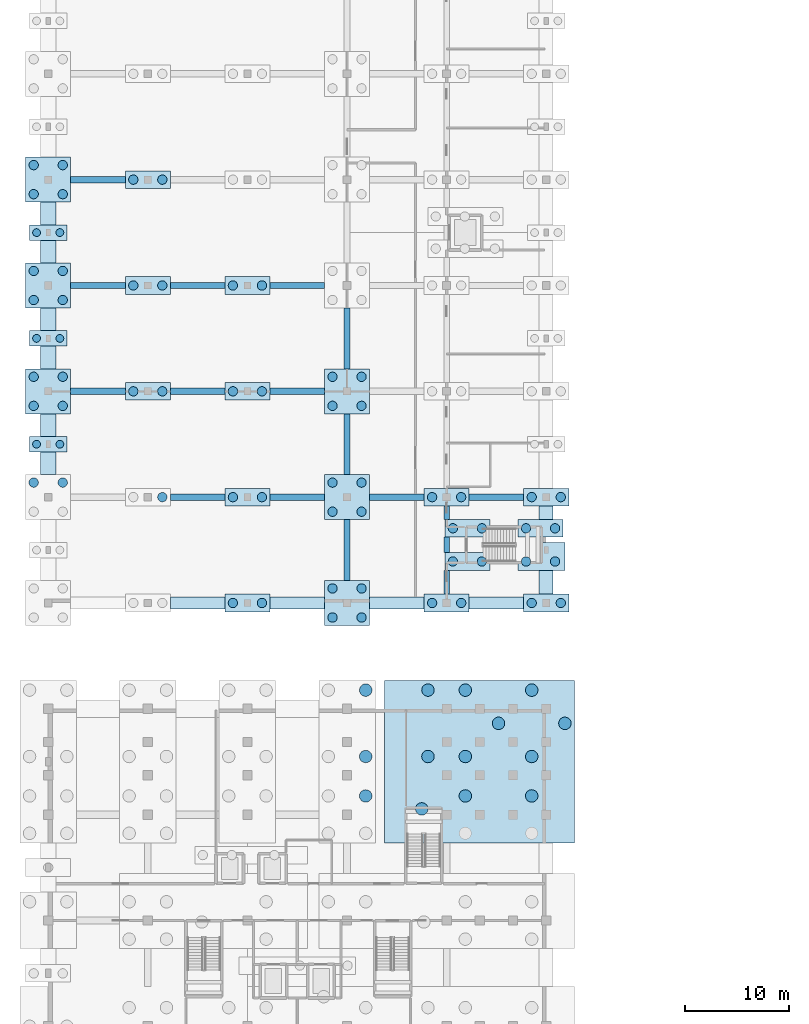
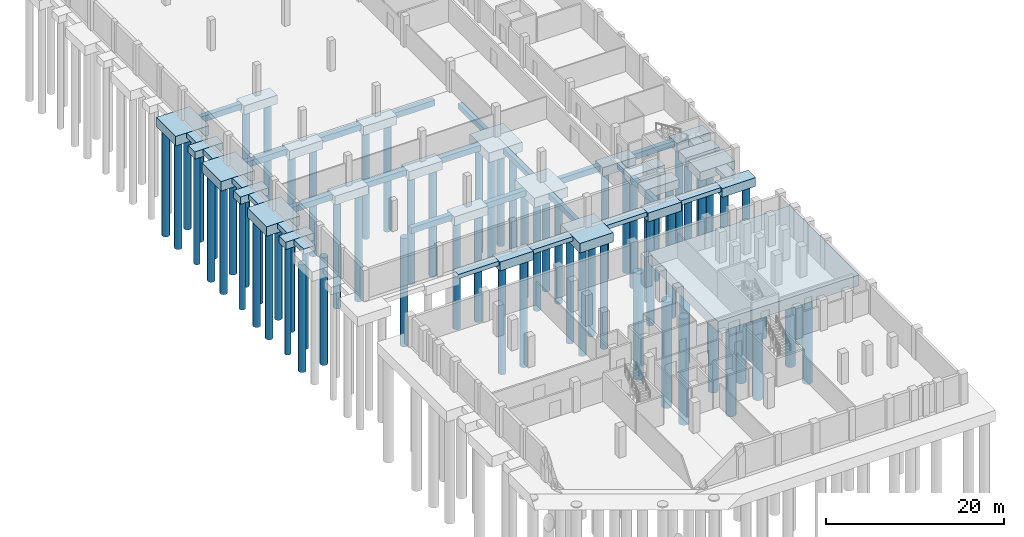
# One storey, part 2 of 18: 77 piles, 54 footings.
"""IFC4 building model written with IfcOpenShell, lengths in metres."""

from ifc_helpers import new_model, si_unit, direction, frame, origin, origin_2d, place, context, subcontext, project, spatial, polyline, rectangle, circle, outline, extrude, material, material_profile, profile_set, type_object, element, save


model = new_model("IFC4")

# Units and contexts
model_context = context("Model", 3, precision=1e-05, world=origin(), true_north=direction((0.0, 1.0)))
body_context = subcontext(model_context, "Body", "Model", "MODEL_VIEW")
ifc_project = project(units=[si_unit("LENGTHUNIT", "METRE"), si_unit("AREAUNIT", "SQUARE_METRE"), si_unit("VOLUMEUNIT", "CUBIC_METRE"), si_unit("PLANEANGLEUNIT", "RADIAN"), si_unit("MASSUNIT", "GRAM", prefix="KILO")], contexts=[model_context])

# Site, building, storey
site_placement = place(None, origin())
site = spatial("IfcSite", under=ifc_project, at=site_placement, CompositionType="ELEMENT")
building_placement = place(site_placement, origin())
building = spatial("IfcBuilding", under=site, at=building_placement, Name="Vondelvale Polytechnic", CompositionType="ELEMENT")
storey_placement = place(building_placement, frame((0.0, 0.0, -4.199951171875)))
storey = spatial("IfcBuildingStorey", under=building, at=storey_placement, Name="B1", CompositionType="ELEMENT", Elevation=-4.199951171875)

# Footings
ifc_material = material(Name="Concrete N40 (f'c = 40 MPa)", Category="concrete")
footing_type_1 = type_object("IfcFootingType", Name="GB-550x750", PredefinedType="FOOTING_BEAM", material=ifc_material)
footing_1_placement = place(storey_placement, frame((0.0, 0.0, -1.150146484375)))
element("IfcFooting", 1, at=footing_1_placement, inside=storey, type_object=footing_type_1, Name="Ground tie beam GB-031", PredefinedType="FOOTING_BEAM", context=body_context, shape_type="SweptSolid", body=[
    extrude(outline(polyline([(29.074951171875, 53.169921875), (28.52490234375, 53.169921875), (28.52490234375, 59.030029296875), (29.074951171875, 59.030029296875), (29.074951171875, 53.169921875)])), origin(), (0.0, 0.0, 1.0), 0.75),
])
footing_2_placement = place(storey_placement, frame((0.0, 0.0, -1.150146484375)))
element("IfcFooting", 2, at=footing_2_placement, inside=storey, type_object=footing_type_1, Name="Ground tie beam GB-032", PredefinedType="FOOTING_BEAM", context=body_context, shape_type="SweptSolid", body=[
    extrude(outline(polyline([(29.074951171875, 63.3701171875), (28.52490234375, 63.3701171875), (28.52490234375, 69.22998046875), (29.074951171875, 69.22998046875), (29.074951171875, 63.3701171875)])), origin(), (0.0, 0.0, 1.0), 0.75),
])
footing_3_placement = place(storey_placement, frame((0.0, 0.0, -1.150146484375)))
element("IfcFooting", 3, at=footing_3_placement, inside=storey, type_object=footing_type_1, Name="Ground tie beam GB-033", PredefinedType="FOOTING_BEAM", context=body_context, shape_type="SweptSolid", body=[
    extrude(outline(polyline([(29.074951171875, 73.570068359375), (28.52490234375, 73.570068359375), (28.52490234375, 79.429931640625), (29.074951171875, 79.429931640625), (29.074951171875, 73.570068359375)])), origin(), (0.0, 0.0, 1.0), 0.75),
])
footing_4_placement = place(storey_placement, frame((0.0, 0.0, -1.150146484375)))
element("IfcFooting", 4, at=footing_4_placement, inside=storey, type_object=footing_type_1, Name="Ground tie beam GB-038", PredefinedType="FOOTING_BEAM", context=body_context, shape_type="SweptSolid", body=[
    extrude(outline(polyline([(38.675048828125, 51.85009765625), (38.125, 51.85009765625), (38.125, 54.14990234375), (38.22998046875, 54.14990234375), (38.675048828125, 54.14990234375), (38.675048828125, 51.85009765625)])), origin(), (0.0, 0.0, 1.0), 0.75),
])
footing_5_placement = place(storey_placement, frame((0.0, 0.0, -1.150146484375)))
element("IfcFooting", 5, at=footing_5_placement, inside=storey, type_object=footing_type_1, Name="Ground tie beam GB-039", PredefinedType="FOOTING_BEAM", context=body_context, shape_type="SweptSolid", body=[
    extrude(outline(polyline([(38.675048828125, 55.85009765625), (38.22998046875, 55.85009765625), (38.125, 55.85009765625), (38.125, 57.35009765625), (38.22998046875, 57.35009765625), (38.675048828125, 57.35009765625), (38.675048828125, 55.85009765625)])), origin(), (0.0, 0.0, 1.0), 0.75),
])
footing_6_placement = place(storey_placement, frame((0.0, 0.0, -1.150146484375)))
element("IfcFooting", 6, at=footing_6_placement, inside=storey, type_object=footing_type_1, Name="Ground tie beam GB-040", PredefinedType="FOOTING_BEAM", context=body_context, shape_type="SweptSolid", body=[
    extrude(outline(polyline([(38.675048828125, 59.050048828125), (38.22998046875, 59.050048828125), (38.125, 59.050048828125), (38.125, 60.35009765625), (38.675048828125, 60.35009765625), (38.675048828125, 59.050048828125)])), origin(), (0.0, 0.0, 1.0), 0.75),
])
footing_type_2 = type_object("IfcFootingType", Name="GB-600x800", PredefinedType="FOOTING_BEAM", material=ifc_material)
footing_7_placement = place(storey_placement, frame((0.0, 0.0, -1.199951171875)))
element("IfcFooting", 7, at=footing_7_placement, inside=storey, type_object=footing_type_2, Name="Ground tie beam GB-002", PredefinedType="FOOTING_BEAM", context=body_context, shape_type="SweptSolid", body=[
    extrude(outline(polyline([(11.77001953125, 60.89990234375), (11.77001953125, 61.5), (17.030029296875, 61.5), (17.030029296875, 60.89990234375), (11.77001953125, 60.89990234375)])), origin(), (0.0, 0.0, 1.0), 0.7998046875),
])
footing_8_placement = place(storey_placement, frame((0.0, 0.0, -1.199951171875)))
element("IfcFooting", 8, at=footing_8_placement, inside=storey, type_object=footing_type_2, Name="Ground tie beam GB-003", PredefinedType="FOOTING_BEAM", context=body_context, shape_type="SweptSolid", body=[
    extrude(outline(polyline([(21.3701171875, 60.89990234375), (21.3701171875, 61.5), (26.6298828125, 61.5), (26.6298828125, 60.89990234375), (21.3701171875, 60.89990234375)])), origin(), (0.0, 0.0, 1.0), 0.7998046875),
])
footing_9_placement = place(storey_placement, frame((0.0, 0.0, -1.199951171875)))
element("IfcFooting", 9, at=footing_9_placement, inside=storey, type_object=footing_type_2, Name="Ground tie beam GB-004", PredefinedType="FOOTING_BEAM", context=body_context, shape_type="SweptSolid", body=[
    extrude(outline(polyline([(30.969970703125, 60.89990234375), (30.969970703125, 61.5), (36.22998046875, 61.5), (36.22998046875, 60.89990234375), (30.969970703125, 60.89990234375)])), origin(), (0.0, 0.0, 1.0), 0.7998046875),
])
footing_10_placement = place(storey_placement, frame((0.0, 0.0, -1.199951171875)))
element("IfcFooting", 10, at=footing_10_placement, inside=storey, type_object=footing_type_2, Name="Ground tie beam GB-005", PredefinedType="FOOTING_BEAM", context=body_context, shape_type="SweptSolid", body=[
    extrude(outline(polyline([(40.570068359375, 60.89990234375), (40.570068359375, 61.5), (45.830078125, 61.5), (45.830078125, 60.89990234375), (40.570068359375, 60.89990234375)])), origin(), (0.0, 0.0, 1.0), 0.7998046875),
])
footing_11_placement = place(storey_placement, frame((0.0, 0.0, -1.199951171875)))
element("IfcFooting", 11, at=footing_11_placement, inside=storey, type_object=footing_type_2, Name="Ground tie beam GB-006", PredefinedType="FOOTING_BEAM", context=body_context, shape_type="SweptSolid", body=[
    extrude(outline(polyline([(2.169921875, 71.10009765625), (2.169921875, 71.699951171875), (7.429931640625, 71.699951171875), (7.429931640625, 71.10009765625), (2.169921875, 71.10009765625)])), origin(), (0.0, 0.0, 1.0), 0.7998046875),
])
footing_12_placement = place(storey_placement, frame((0.0, 0.0, -1.199951171875)))
element("IfcFooting", 12, at=footing_12_placement, inside=storey, type_object=footing_type_2, Name="Ground tie beam GB-007", PredefinedType="FOOTING_BEAM", context=body_context, shape_type="SweptSolid", body=[
    extrude(outline(polyline([(11.77001953125, 71.10009765625), (11.77001953125, 71.699951171875), (17.030029296875, 71.699951171875), (17.030029296875, 71.10009765625), (11.77001953125, 71.10009765625)])), origin(), (0.0, 0.0, 1.0), 0.7998046875),
])
footing_13_placement = place(storey_placement, frame((0.0, 0.0, -1.199951171875)))
element("IfcFooting", 13, at=footing_13_placement, inside=storey, type_object=footing_type_2, Name="Ground tie beam GB-008", PredefinedType="FOOTING_BEAM", context=body_context, shape_type="SweptSolid", body=[
    extrude(outline(polyline([(21.3701171875, 71.10009765625), (21.3701171875, 71.699951171875), (26.6298828125, 71.699951171875), (26.6298828125, 71.10009765625), (21.3701171875, 71.10009765625)])), origin(), (0.0, 0.0, 1.0), 0.7998046875),
])
footing_14_placement = place(storey_placement, frame((0.0, 0.0, -1.199951171875)))
element("IfcFooting", 14, at=footing_14_placement, inside=storey, type_object=footing_type_2, Name="Ground tie beam GB-011", PredefinedType="FOOTING_BEAM", context=body_context, shape_type="SweptSolid", body=[
    extrude(outline(polyline([(2.169921875, 81.300048828125), (2.169921875, 81.89990234375), (7.429931640625, 81.89990234375), (7.429931640625, 81.300048828125), (2.169921875, 81.300048828125)])), origin(), (0.0, 0.0, 1.0), 0.7998046875),
])
footing_15_placement = place(storey_placement, frame((0.0, 0.0, -1.199951171875)))
element("IfcFooting", 15, at=footing_15_placement, inside=storey, type_object=footing_type_2, Name="Ground tie beam GB-012", PredefinedType="FOOTING_BEAM", context=body_context, shape_type="SweptSolid", body=[
    extrude(outline(polyline([(11.77001953125, 81.300048828125), (11.77001953125, 81.89990234375), (17.030029296875, 81.89990234375), (17.030029296875, 81.300048828125), (11.77001953125, 81.300048828125)])), origin(), (0.0, 0.0, 1.0), 0.7998046875),
])
footing_16_placement = place(storey_placement, frame((0.0, 0.0, -1.199951171875)))
element("IfcFooting", 16, at=footing_16_placement, inside=storey, type_object=footing_type_2, Name="Ground tie beam GB-013", PredefinedType="FOOTING_BEAM", context=body_context, shape_type="SweptSolid", body=[
    extrude(outline(polyline([(21.3701171875, 81.300048828125), (21.3701171875, 81.89990234375), (26.6298828125, 81.89990234375), (26.6298828125, 81.300048828125), (21.3701171875, 81.300048828125)])), origin(), (0.0, 0.0, 1.0), 0.7998046875),
])
footing_17_placement = place(storey_placement, frame((0.0, 0.0, -1.199951171875)))
element("IfcFooting", 17, at=footing_17_placement, inside=storey, type_object=footing_type_2, Name="Ground tie beam GB-016", PredefinedType="FOOTING_BEAM", context=body_context, shape_type="SweptSolid", body=[
    extrude(outline(polyline([(2.169921875, 91.5), (2.169921875, 92.10009765625), (7.429931640625, 92.10009765625), (7.429931640625, 91.5), (2.169921875, 91.5)])), origin(), (0.0, 0.0, 1.0), 0.7998046875),
])
footing_type_3 = type_object("IfcFootingType", Name="PC-18290x15640x1500", PredefinedType="PILE_CAP", material=ifc_material)
footing_18_placement = place(storey_placement, frame((41.574951171875, 35.699951171875, -1.900146484375), z_axis=(0.0, 0.0, 1.0), x_axis=(1.0, 0.0, 0.0)))
element("IfcFooting", 18, at=footing_18_placement, inside=storey, type_object=footing_type_3, Name="Pile cap PC-052", PredefinedType="PILE_CAP", context=body_context, shape_type="SweptSolid", body=[
    extrude(rectangle(XDim=18.2900390625, YDim=15.639892578125, at=origin_2d()), origin(), (0.0, 0.0, 1.0), 1.5),
])
footing_type_4 = type_object("IfcFootingType", Name="PC-3640x1500x1000", PredefinedType="PILE_CAP", material=ifc_material)
for number, where, z_axis, x_axis, name in (
    (19, (0.0, 66.300048828125, -1.400146484375), (0.0, 0.0, 1.0), (1.0, 0.0, 0.0), "Pile cap PC-009"),
    (20, (0.0, 76.5, -1.400146484375), (0.0, 0.0, 1.0), (1.0, 0.0, 0.0), "Pile cap PC-011"),
    (21, (0.0, 86.699951171875, -1.400146484375), (0.0, 0.0, 1.0), (1.0, 0.0, 0.0), "Pile cap PC-013"),
):
    element("IfcFooting", number, at=place(storey_placement, frame(where, z_axis=z_axis, x_axis=x_axis)), inside=storey, type_object=footing_type_4, Name=name, PredefinedType="PILE_CAP", context=body_context, shape_type="SweptSolid", body=[
        extrude(rectangle(XDim=3.639892578125, YDim=1.5, at=origin_2d()), origin(), (0.0, 0.0, 1.0), 1.0),
    ])
footing_type_5 = type_object("IfcFootingType", Name="PC-4340x1700x1200", PredefinedType="PILE_CAP", material=ifc_material)
for number, where, z_axis, x_axis, name in (
    (22, (9.60009765625, 71.39990234375, -1.60009765625), (0.0, 0.0, 1.0), (1.0, 0.0, 0.0), "Pile cap PC-025"),
    (23, (9.60009765625, 81.60009765625, -1.60009765625), (0.0, 0.0, 1.0), (1.0, 0.0, 0.0), "Pile cap PC-026"),
    (24, (9.60009765625, 91.800048828125, -1.60009765625), (0.0, 0.0, 1.0), (1.0, 0.0, 0.0), "Pile cap PC-027"),
    (25, (19.199951171875, 51.0, -1.60009765625), (0.0, 0.0, 1.0), (1.0, 0.0, 0.0), "Pile cap PC-033"),
    (26, (19.199951171875, 61.199951171875, -1.60009765625), (0.0, 0.0, 1.0), (1.0, 0.0, 0.0), "Pile cap PC-034"),
    (27, (19.199951171875, 71.39990234375, -1.60009765625), (0.0, 0.0, 1.0), (1.0, 0.0, 0.0), "Pile cap PC-035"),
    (28, (19.199951171875, 81.60009765625, -1.60009765625), (0.0, 0.0, 1.0), (1.0, 0.0, 0.0), "Pile cap PC-036"),
    (29, (38.39990234375, 51.0, -1.60009765625), (0.0, 0.0, 1.0), (1.0, 0.0, 0.0), "Pile cap PC-053"),
    (30, (38.39990234375, 61.199951171875, -1.60009765625), (0.0, 0.0, 1.0), (1.0, 0.0, 0.0), "Pile cap PC-054"),
    (31, (40.39990234375, 55.0, -1.60009765625), (0.0, 0.0, 1.0), (1.0, 0.0, 0.0), "Pile cap PC-063"),
    (32, (40.39990234375, 58.199951171875, -1.60009765625), (0.0, 0.0, 1.0), (1.0, 0.0, 0.0), "Pile cap PC-064"),
    (33, (47.449951171875, 58.199951171875, -1.60009765625), (0.0, 0.0, 1.0), (1.0, 0.0, 0.0), "Pile cap PC-067"),
    (34, (48.0, 51.0, -1.60009765625), (0.0, 0.0, 1.0), (1.0, 0.0, 0.0), "Pile cap PC-070"),
    (35, (48.0, 61.199951171875, -1.60009765625), (0.0, 0.0, 1.0), (1.0, 0.0, 0.0), "Pile cap PC-071"),
):
    element("IfcFooting", number, at=place(storey_placement, frame(where, z_axis=z_axis, x_axis=x_axis)), inside=storey, type_object=footing_type_5, Name=name, PredefinedType="PILE_CAP", context=body_context, shape_type="SweptSolid", body=[
        extrude(rectangle(XDim=4.340087890625, YDim=1.699951171875, at=origin_2d()), origin(), (0.0, 0.0, 1.0), 1.199951171875),
    ])
footing_type_6 = type_object("IfcFootingType", Name="PC-4340x4340x1300", PredefinedType="PILE_CAP", material=ifc_material)
for number, where, z_axis, x_axis, name in (
    (36, (0.0, 71.39990234375, -1.7001953125), (0.0, 0.0, 1.0), (1.0, 0.0, 0.0), "Pile cap PC-010"),
    (37, (0.0, 81.60009765625, -1.7001953125), (0.0, 0.0, 1.0), (1.0, 0.0, 0.0), "Pile cap PC-012"),
    (38, (0.0, 91.800048828125, -1.7001953125), (0.0, 0.0, 1.0), (1.0, 0.0, 0.0), "Pile cap PC-014"),
    (39, (28.800048828125, 51.0, -1.7001953125), (0.0, 0.0, 1.0), (1.0, 0.0, 0.0), "Pile cap PC-044"),
    (40, (28.800048828125, 61.199951171875, -1.7001953125), (0.0, 0.0, 1.0), (1.0, 0.0, 0.0), "Pile cap PC-045"),
    (41, (28.800048828125, 71.39990234375, -1.7001953125), (0.0, 0.0, 1.0), (1.0, 0.0, 0.0), "Pile cap PC-046"),
):
    element("IfcFooting", number, at=place(storey_placement, frame(where, z_axis=z_axis, x_axis=x_axis)), inside=storey, type_object=footing_type_6, Name=name, PredefinedType="PILE_CAP", context=body_context, shape_type="SweptSolid", body=[
        extrude(rectangle(XDim=4.340087890625, YDim=4.340087890625, at=origin_2d()), origin(), (0.0, 0.0, 1.0), 1.300048828125),
    ])
footing_type_7 = type_object("IfcFootingType", Name="PC-4540x2700x1200", PredefinedType="PILE_CAP", material=ifc_material)
footing_19_placement = place(storey_placement, frame((47.550048828125, 55.5, -1.60009765625), z_axis=(0.0, 0.0, 1.0), x_axis=(1.0, 0.0, 0.0)))
element("IfcFooting", 42, at=footing_19_placement, inside=storey, type_object=footing_type_7, Name="Pile cap PC-066", PredefinedType="PILE_CAP", context=body_context, shape_type="SweptSolid", body=[
    extrude(rectangle(XDim=4.5400390625, YDim=2.699951171875, at=origin_2d()), origin(), (0.0, 0.0, 1.0), 1.199951171875),
])

# Piles
ifc_material_profile_1 = material_profile(ifc_material, circle(Radius=0.60009765625, at=origin_2d()), Name="PILE-D1200")
ifc_profile_set_1 = profile_set([ifc_material_profile_1], Name="Concrete N40 (f'c = 40 MPa)")
pile_type_1 = type_object("IfcPileType", Name="PILE-BORED-1200", PredefinedType="BORED", material=ifc_profile_set_1)
for number, where, z_axis, x_axis, name in (
    (43, (30.60009765625, 32.39990234375, -1.75), (0.0, 0.0, -1.0), (1.0, 0.0, 0.0), "Bored pile BP-1200-043-4"),
    (44, (30.60009765625, 36.199951171875, -1.75), (0.0, 0.0, -1.0), (1.0, 0.0, 0.0), "Bored pile BP-1200-043-6"),
    (45, (30.60009765625, 42.60009765625, -1.75), (0.0, 0.0, -1.0), (1.0, 0.0, 0.0), "Bored pile BP-1200-043-8"),
    (46, (36.0, 31.14990234375, -1.75), (0.0, 0.0, -1.0), (1.0, 0.0, 0.0), "Bored pile BP-1200-052-1"),
    (47, (40.199951171875, 32.39990234375, -1.75), (0.0, 0.0, -1.0), (1.0, 0.0, 0.0), "Bored pile BP-1200-052-3"),
    (48, (36.60009765625, 36.199951171875, -1.75), (0.0, 0.0, -1.0), (1.0, 0.0, 0.0), "Bored pile BP-1200-052-4"),
    (49, (40.199951171875, 36.199951171875, -1.75), (0.0, 0.0, -1.0), (1.0, 0.0, 0.0), "Bored pile BP-1200-052-5"),
    (50, (36.60009765625, 42.60009765625, -1.75), (0.0, 0.0, -1.0), (1.0, 0.0, 0.0), "Bored pile BP-1200-052-6"),
    (51, (40.199951171875, 42.60009765625, -1.75), (0.0, 0.0, -1.0), (1.0, 0.0, 0.0), "Bored pile BP-1200-052-7"),
    (52, (43.39990234375, 39.39990234375, -1.75), (0.0, 0.0, -1.0), (1.0, 0.0, 0.0), "Bored pile BP-1200-052-8"),
    (53, (46.60009765625, 32.39990234375, -1.75), (0.0, 0.0, -1.0), (1.0, 0.0, 0.0), "Bored pile BP-1200-052-10"),
    (54, (46.60009765625, 36.199951171875, -1.75), (0.0, 0.0, -1.0), (1.0, 0.0, 0.0), "Bored pile BP-1200-052-11"),
    (55, (46.60009765625, 42.60009765625, -1.75), (0.0, 0.0, -1.0), (1.0, 0.0, 0.0), "Bored pile BP-1200-052-12"),
    (56, (49.800048828125, 39.39990234375, -1.75), (0.0, 0.0, -1.0), (1.0, 0.0, 0.0), "Bored pile BP-1200-052-13"),
):
    element("IfcPile", number, at=place(storey_placement, frame(where, z_axis=z_axis, x_axis=x_axis)), inside=storey, type_object=pile_type_1, Name=name, PredefinedType="BORED", context=body_context, shape_type="SweptSolid", body=[
        extrude(circle(Radius=0.60009765625, at=origin_2d()), origin(), (0.0, 0.0, 1.0), 14.550048828125),
    ])
ifc_material_profile_2 = material_profile(ifc_material, circle(Radius=0.375, at=origin_2d()), Name="PILE-D750")
ifc_profile_set_2 = profile_set([ifc_material_profile_2], Name="Concrete N40 (f'c = 40 MPa)")
pile_type_2 = type_object("IfcPileType", Name="PILE-BORED-750", PredefinedType="BORED", material=ifc_profile_set_2)
for number, where, z_axis, x_axis, name in (
    (57, (-1.125, 66.300048828125, -1.25), (0.0, 0.0, -1.0), (1.0, 0.0, 0.0), "Bored pile BP-750-009-1"),
    (58, (1.125, 66.300048828125, -1.25), (0.0, 0.0, -1.0), (1.0, 0.0, 0.0), "Bored pile BP-750-009-2"),
    (59, (-1.125, 76.5, -1.25), (0.0, 0.0, -1.0), (1.0, 0.0, 0.0), "Bored pile BP-750-011-1"),
    (60, (1.125, 76.5, -1.25), (0.0, 0.0, -1.0), (1.0, 0.0, 0.0), "Bored pile BP-750-011-2"),
    (61, (-1.125, 86.699951171875, -1.25), (0.0, 0.0, -1.0), (1.0, 0.0, 0.0), "Bored pile BP-750-013-1"),
    (62, (1.125, 86.699951171875, -1.25), (0.0, 0.0, -1.0), (1.0, 0.0, 0.0), "Bored pile BP-750-013-2"),
):
    element("IfcPile", number, at=place(storey_placement, frame(where, z_axis=z_axis, x_axis=x_axis)), inside=storey, type_object=pile_type_2, Name=name, PredefinedType="BORED", context=body_context, shape_type="SweptSolid", body=[
        extrude(circle(Radius=0.375, at=origin_2d()), origin(), (0.0, 0.0, 1.0), 15.050048828125),
    ])
ifc_material_profile_3 = material_profile(ifc_material, circle(Radius=0.449951171875, at=origin_2d()), Name="PILE-D900")
ifc_profile_set_3 = profile_set([ifc_material_profile_3], Name="Concrete N40 (f'c = 40 MPa)")
pile_type_3 = type_object("IfcPileType", Name="PILE-BORED-900", PredefinedType="BORED", material=ifc_profile_set_3)
for number, where, z_axis, x_axis, name in (
    (63, (-1.39990234375, 62.60009765625, -1.550048828125), (0.0, 0.0, -1.0), (1.0, 0.0, 0.0), "Bored pile BP-900-008-3"),
    (64, (1.39990234375, 62.60009765625, -1.550048828125), (0.0, 0.0, -1.0), (1.0, 0.0, 0.0), "Bored pile BP-900-008-4"),
    (65, (-1.39990234375, 70.0, -1.550048828125), (0.0, 0.0, -1.0), (1.0, 0.0, 0.0), "Bored pile BP-900-010-1"),
    (66, (1.39990234375, 70.0, -1.550048828125), (0.0, 0.0, -1.0), (1.0, 0.0, 0.0), "Bored pile BP-900-010-2"),
    (67, (-1.39990234375, 72.800048828125, -1.550048828125), (0.0, 0.0, -1.0), (1.0, 0.0, 0.0), "Bored pile BP-900-010-3"),
    (68, (1.39990234375, 72.800048828125, -1.550048828125), (0.0, 0.0, -1.0), (1.0, 0.0, 0.0), "Bored pile BP-900-010-4"),
    (69, (-1.39990234375, 80.199951171875, -1.550048828125), (0.0, 0.0, -1.0), (1.0, 0.0, 0.0), "Bored pile BP-900-012-1"),
    (70, (1.39990234375, 80.199951171875, -1.550048828125), (0.0, 0.0, -1.0), (1.0, 0.0, 0.0), "Bored pile BP-900-012-2"),
    (71, (-1.39990234375, 83.0, -1.550048828125), (0.0, 0.0, -1.0), (1.0, 0.0, 0.0), "Bored pile BP-900-012-3"),
    (72, (1.39990234375, 83.0, -1.550048828125), (0.0, 0.0, -1.0), (1.0, 0.0, 0.0), "Bored pile BP-900-012-4"),
    (73, (-1.39990234375, 90.39990234375, -1.550048828125), (0.0, 0.0, -1.0), (1.0, 0.0, 0.0), "Bored pile BP-900-014-1"),
    (74, (1.39990234375, 90.39990234375, -1.550048828125), (0.0, 0.0, -1.0), (1.0, 0.0, 0.0), "Bored pile BP-900-014-2"),
    (75, (-1.39990234375, 93.199951171875, -1.550048828125), (0.0, 0.0, -1.0), (1.0, 0.0, 0.0), "Bored pile BP-900-014-3"),
    (76, (1.39990234375, 93.199951171875, -1.550048828125), (0.0, 0.0, -1.0), (1.0, 0.0, 0.0), "Bored pile BP-900-014-4"),
):
    element("IfcPile", number, at=place(storey_placement, frame(where, z_axis=z_axis, x_axis=x_axis)), inside=storey, type_object=pile_type_3, Name=name, PredefinedType="BORED", context=body_context, shape_type="SweptSolid", body=[
        extrude(circle(Radius=0.449951171875, at=origin_2d()), origin(), (0.0, 0.0, 1.0), 14.75),
    ])
for number, where, z_axis, x_axis, name in (
    (77, (11.0, 61.199951171875, -1.449951171875), (0.0, 0.0, -1.0), (1.0, 0.0, 0.0), "Bored pile BP-900-024-2"),
    (78, (8.199951171875, 71.39990234375, -1.449951171875), (0.0, 0.0, -1.0), (1.0, 0.0, 0.0), "Bored pile BP-900-025-1"),
    (79, (11.0, 71.39990234375, -1.449951171875), (0.0, 0.0, -1.0), (1.0, 0.0, 0.0), "Bored pile BP-900-025-2"),
    (80, (8.199951171875, 81.60009765625, -1.449951171875), (0.0, 0.0, -1.0), (1.0, 0.0, 0.0), "Bored pile BP-900-026-1"),
    (81, (11.0, 81.60009765625, -1.449951171875), (0.0, 0.0, -1.0), (1.0, 0.0, 0.0), "Bored pile BP-900-026-2"),
    (82, (8.199951171875, 91.800048828125, -1.449951171875), (0.0, 0.0, -1.0), (1.0, 0.0, 0.0), "Bored pile BP-900-027-1"),
    (83, (11.0, 91.800048828125, -1.449951171875), (0.0, 0.0, -1.0), (1.0, 0.0, 0.0), "Bored pile BP-900-027-2"),
    (84, (17.800048828125, 51.0, -1.449951171875), (0.0, 0.0, -1.0), (1.0, 0.0, 0.0), "Bored pile BP-900-033-1"),
    (85, (20.60009765625, 51.0, -1.449951171875), (0.0, 0.0, -1.0), (1.0, 0.0, 0.0), "Bored pile BP-900-033-2"),
    (86, (17.800048828125, 61.199951171875, -1.449951171875), (0.0, 0.0, -1.0), (1.0, 0.0, 0.0), "Bored pile BP-900-034-1"),
    (87, (20.60009765625, 61.199951171875, -1.449951171875), (0.0, 0.0, -1.0), (1.0, 0.0, 0.0), "Bored pile BP-900-034-2"),
    (88, (17.800048828125, 71.39990234375, -1.449951171875), (0.0, 0.0, -1.0), (1.0, 0.0, 0.0), "Bored pile BP-900-035-1"),
    (89, (20.60009765625, 71.39990234375, -1.449951171875), (0.0, 0.0, -1.0), (1.0, 0.0, 0.0), "Bored pile BP-900-035-2"),
    (90, (17.800048828125, 81.60009765625, -1.449951171875), (0.0, 0.0, -1.0), (1.0, 0.0, 0.0), "Bored pile BP-900-036-1"),
    (91, (20.60009765625, 81.60009765625, -1.449951171875), (0.0, 0.0, -1.0), (1.0, 0.0, 0.0), "Bored pile BP-900-036-2"),
):
    element("IfcPile", number, at=place(storey_placement, frame(where, z_axis=z_axis, x_axis=x_axis)), inside=storey, type_object=pile_type_3, Name=name, PredefinedType="BORED", context=body_context, shape_type="SweptSolid", body=[
        extrude(circle(Radius=0.449951171875, at=origin_2d()), origin(), (0.0, 0.0, 1.0), 14.85009765625),
    ])
for number, where, z_axis, x_axis, name in (
    (92, (27.39990234375, 49.60009765625, -1.550048828125), (0.0, 0.0, -1.0), (1.0, 0.0, 0.0), "Bored pile BP-900-044-1"),
    (93, (30.199951171875, 49.60009765625, -1.550048828125), (0.0, 0.0, -1.0), (1.0, 0.0, 0.0), "Bored pile BP-900-044-2"),
    (94, (27.39990234375, 52.39990234375, -1.550048828125), (0.0, 0.0, -1.0), (1.0, 0.0, 0.0), "Bored pile BP-900-044-3"),
    (95, (30.199951171875, 52.39990234375, -1.550048828125), (0.0, 0.0, -1.0), (1.0, 0.0, 0.0), "Bored pile BP-900-044-4"),
    (96, (27.39990234375, 59.800048828125, -1.550048828125), (0.0, 0.0, -1.0), (1.0, 0.0, 0.0), "Bored pile BP-900-045-1"),
    (97, (30.199951171875, 59.800048828125, -1.550048828125), (0.0, 0.0, -1.0), (1.0, 0.0, 0.0), "Bored pile BP-900-045-2"),
    (98, (27.39990234375, 62.60009765625, -1.550048828125), (0.0, 0.0, -1.0), (1.0, 0.0, 0.0), "Bored pile BP-900-045-3"),
    (99, (30.199951171875, 62.60009765625, -1.550048828125), (0.0, 0.0, -1.0), (1.0, 0.0, 0.0), "Bored pile BP-900-045-4"),
    (100, (27.39990234375, 70.0, -1.550048828125), (0.0, 0.0, -1.0), (1.0, 0.0, 0.0), "Bored pile BP-900-046-1"),
    (101, (30.199951171875, 70.0, -1.550048828125), (0.0, 0.0, -1.0), (1.0, 0.0, 0.0), "Bored pile BP-900-046-2"),
    (102, (27.39990234375, 72.800048828125, -1.550048828125), (0.0, 0.0, -1.0), (1.0, 0.0, 0.0), "Bored pile BP-900-046-3"),
    (103, (30.199951171875, 72.800048828125, -1.550048828125), (0.0, 0.0, -1.0), (1.0, 0.0, 0.0), "Bored pile BP-900-046-4"),
):
    element("IfcPile", number, at=place(storey_placement, frame(where, z_axis=z_axis, x_axis=x_axis)), inside=storey, type_object=pile_type_3, Name=name, PredefinedType="BORED", context=body_context, shape_type="SweptSolid", body=[
        extrude(circle(Radius=0.449951171875, at=origin_2d()), origin(), (0.0, 0.0, 1.0), 14.75),
    ])
for number, where, z_axis, x_axis, name in (
    (104, (37.0, 51.0, -1.449951171875), (0.0, 0.0, -1.0), (1.0, 0.0, 0.0), "Bored pile BP-900-053-1"),
    (105, (39.800048828125, 51.0, -1.449951171875), (0.0, 0.0, -1.0), (1.0, 0.0, 0.0), "Bored pile BP-900-053-2"),
    (106, (37.0, 61.199951171875, -1.449951171875), (0.0, 0.0, -1.0), (1.0, 0.0, 0.0), "Bored pile BP-900-054-1"),
    (107, (39.800048828125, 61.199951171875, -1.449951171875), (0.0, 0.0, -1.0), (1.0, 0.0, 0.0), "Bored pile BP-900-054-2"),
    (108, (39.0, 55.0, -1.449951171875), (0.0, 0.0, -1.0), (1.0, 0.0, 0.0), "Bored pile BP-900-063-1"),
    (109, (41.800048828125, 55.0, -1.449951171875), (0.0, 0.0, -1.0), (1.0, 0.0, 0.0), "Bored pile BP-900-063-2"),
    (110, (39.0, 58.199951171875, -1.449951171875), (0.0, 0.0, -1.0), (1.0, 0.0, 0.0), "Bored pile BP-900-064-1"),
    (111, (41.800048828125, 58.199951171875, -1.449951171875), (0.0, 0.0, -1.0), (1.0, 0.0, 0.0), "Bored pile BP-900-064-2"),
    (112, (46.050048828125, 55.0, -1.449951171875), (0.0, 0.0, -1.0), (1.0, 0.0, 0.0), "Bored pile BP-900-066-1"),
    (113, (48.85009765625, 55.0, -1.449951171875), (0.0, 0.0, -1.0), (1.0, 0.0, 0.0), "Bored pile BP-900-066-2"),
    (114, (46.050048828125, 58.199951171875, -1.449951171875), (0.0, 0.0, -1.0), (1.0, 0.0, 0.0), "Bored pile BP-900-067-1"),
    (115, (48.85009765625, 58.199951171875, -1.449951171875), (0.0, 0.0, -1.0), (1.0, 0.0, 0.0), "Bored pile BP-900-067-2"),
    (116, (46.60009765625, 51.0, -1.449951171875), (0.0, 0.0, -1.0), (1.0, 0.0, 0.0), "Bored pile BP-900-070-1"),
    (117, (49.39990234375, 51.0, -1.449951171875), (0.0, 0.0, -1.0), (1.0, 0.0, 0.0), "Bored pile BP-900-070-2"),
    (118, (46.60009765625, 61.199951171875, -1.449951171875), (0.0, 0.0, -1.0), (1.0, 0.0, 0.0), "Bored pile BP-900-071-1"),
    (119, (49.39990234375, 61.199951171875, -1.449951171875), (0.0, 0.0, -1.0), (1.0, 0.0, 0.0), "Bored pile BP-900-071-2"),
):
    element("IfcPile", number, at=place(storey_placement, frame(where, z_axis=z_axis, x_axis=x_axis)), inside=storey, type_object=pile_type_3, Name=name, PredefinedType="BORED", context=body_context, shape_type="SweptSolid", body=[
        extrude(circle(Radius=0.449951171875, at=origin_2d()), origin(), (0.0, 0.0, 1.0), 14.85009765625),
    ])

# Footings
footing_type_8 = type_object("IfcFootingType", Name="SF-1200x600", PredefinedType="STRIP_FOOTING", material=ifc_material)
footing_20_placement = place(storey_placement, frame((0.0, 0.0, -1.0)))
element("IfcFooting", 120, at=footing_20_placement, inside=storey, type_object=footing_type_8, Name="B1 continuous strip footing SF-032", PredefinedType="STRIP_FOOTING", context=body_context, shape_type="SweptSolid", body=[
    extrude(outline(polyline([(11.77001953125, 50.39990234375), (11.77001953125, 51.60009765625), (17.030029296875, 51.60009765625), (17.030029296875, 50.39990234375), (11.77001953125, 50.39990234375)])), origin(), (0.0, 0.0, 1.0), 0.599853515625),
])
footing_21_placement = place(storey_placement, frame((0.0, 0.0, -1.0)))
element("IfcFooting", 121, at=footing_21_placement, inside=storey, type_object=footing_type_8, Name="B1 continuous strip footing SF-034", PredefinedType="STRIP_FOOTING", context=body_context, shape_type="SweptSolid", body=[
    extrude(outline(polyline([(21.3701171875, 50.39990234375), (21.3701171875, 51.60009765625), (26.6298828125, 51.60009765625), (26.6298828125, 50.39990234375), (21.3701171875, 50.39990234375)])), origin(), (0.0, 0.0, 1.0), 0.599853515625),
])
footing_22_placement = place(storey_placement, frame((0.0, 0.0, -1.0)))
element("IfcFooting", 122, at=footing_22_placement, inside=storey, type_object=footing_type_8, Name="B1 continuous strip footing SF-036", PredefinedType="STRIP_FOOTING", context=body_context, shape_type="SweptSolid", body=[
    extrude(outline(polyline([(30.969970703125, 50.39990234375), (30.969970703125, 51.60009765625), (36.22998046875, 51.60009765625), (36.22998046875, 50.39990234375), (30.969970703125, 50.39990234375)])), origin(), (0.0, 0.0, 1.0), 0.599853515625),
])
footing_23_placement = place(storey_placement, frame((0.0, 0.0, -1.0)))
element("IfcFooting", 123, at=footing_23_placement, inside=storey, type_object=footing_type_8, Name="B1 continuous strip footing SF-038", PredefinedType="STRIP_FOOTING", context=body_context, shape_type="SweptSolid", body=[
    extrude(outline(polyline([(40.570068359375, 50.39990234375), (40.570068359375, 51.60009765625), (45.830078125, 51.60009765625), (45.830078125, 50.39990234375), (40.570068359375, 50.39990234375)])), origin(), (0.0, 0.0, 1.0), 0.599853515625),
])
footing_type_9 = type_object("IfcFootingType", Name="SF-1350x650", PredefinedType="STRIP_FOOTING", material=ifc_material)
footing_24_placement = place(storey_placement, frame((0.0, 0.0, -1.050048828125)))
element("IfcFooting", 124, at=footing_24_placement, inside=storey, type_object=footing_type_9, Name="B1 continuous strip footing SF-003", PredefinedType="STRIP_FOOTING", context=body_context, shape_type="SweptSolid", body=[
    extrude(outline(polyline([(48.675048828125, 51.85009765625), (47.324951171875, 51.85009765625), (47.324951171875, 54.14990234375), (48.675048828125, 54.14990234375), (48.675048828125, 51.85009765625)])), origin(), (0.0, 0.0, 1.0), 0.64990234375),
])
footing_25_placement = place(storey_placement, frame((0.0, 0.0, -1.050048828125)))
element("IfcFooting", 125, at=footing_25_placement, inside=storey, type_object=footing_type_9, Name="B1 continuous strip footing SF-004", PredefinedType="STRIP_FOOTING", context=body_context, shape_type="SweptSolid", body=[
    extrude(outline(polyline([(48.675048828125, 59.050048828125), (47.324951171875, 59.050048828125), (47.324951171875, 60.35009765625), (48.675048828125, 60.35009765625), (48.675048828125, 59.050048828125)])), origin(), (0.0, 0.0, 1.0), 0.64990234375),
])
footing_type_10 = type_object("IfcFootingType", Name="SF-1500x700", PredefinedType="STRIP_FOOTING", material=ifc_material)
footing_26_placement = place(storey_placement, frame((0.0, 0.0, -1.10009765625)))
element("IfcFooting", 126, at=footing_26_placement, inside=storey, type_object=footing_type_10, Name="B1 continuous strip footing SF-005", PredefinedType="STRIP_FOOTING", context=body_context, shape_type="SweptSolid", body=[
    extrude(outline(polyline([(0.75, 63.3701171875), (-0.75, 63.3701171875), (-0.75, 65.550048828125), (0.75, 65.550048828125), (0.75, 63.3701171875)])), origin(), (0.0, 0.0, 1.0), 0.699951171875),
])
footing_27_placement = place(storey_placement, frame((0.0, 0.0, -1.10009765625)))
element("IfcFooting", 127, at=footing_27_placement, inside=storey, type_object=footing_type_10, Name="B1 continuous strip footing SF-006", PredefinedType="STRIP_FOOTING", context=body_context, shape_type="SweptSolid", body=[
    extrude(outline(polyline([(0.75, 67.050048828125), (-0.75, 67.050048828125), (-0.75, 69.22998046875), (0.75, 69.22998046875), (0.75, 67.050048828125)])), origin(), (0.0, 0.0, 1.0), 0.699951171875),
])
footing_28_placement = place(storey_placement, frame((0.0, 0.0, -1.10009765625)))
element("IfcFooting", 128, at=footing_28_placement, inside=storey, type_object=footing_type_10, Name="B1 continuous strip footing SF-009", PredefinedType="STRIP_FOOTING", context=body_context, shape_type="SweptSolid", body=[
    extrude(outline(polyline([(0.75, 73.570068359375), (-0.75, 73.570068359375), (-0.75, 75.75), (0.75, 75.75), (0.75, 73.570068359375)])), origin(), (0.0, 0.0, 1.0), 0.699951171875),
])
footing_29_placement = place(storey_placement, frame((0.0, 0.0, -1.10009765625)))
element("IfcFooting", 129, at=footing_29_placement, inside=storey, type_object=footing_type_10, Name="B1 continuous strip footing SF-010", PredefinedType="STRIP_FOOTING", context=body_context, shape_type="SweptSolid", body=[
    extrude(outline(polyline([(0.75, 77.25), (-0.75, 77.25), (-0.75, 79.429931640625), (0.75, 79.429931640625), (0.75, 77.25)])), origin(), (0.0, 0.0, 1.0), 0.699951171875),
])
footing_30_placement = place(storey_placement, frame((0.0, 0.0, -1.10009765625)))
element("IfcFooting", 130, at=footing_30_placement, inside=storey, type_object=footing_type_10, Name="B1 continuous strip footing SF-013", PredefinedType="STRIP_FOOTING", context=body_context, shape_type="SweptSolid", body=[
    extrude(outline(polyline([(0.75, 83.77001953125), (-0.75, 83.77001953125), (-0.75, 85.949951171875), (0.75, 85.949951171875), (0.75, 83.77001953125)])), origin(), (0.0, 0.0, 1.0), 0.699951171875),
])
footing_31_placement = place(storey_placement, frame((0.0, 0.0, -1.10009765625)))
element("IfcFooting", 131, at=footing_31_placement, inside=storey, type_object=footing_type_10, Name="B1 continuous strip footing SF-014", PredefinedType="STRIP_FOOTING", context=body_context, shape_type="SweptSolid", body=[
    extrude(outline(polyline([(0.75, 87.449951171875), (-0.75, 87.449951171875), (-0.75, 89.6298828125), (0.75, 89.6298828125), (0.75, 87.449951171875)])), origin(), (0.0, 0.0, 1.0), 0.699951171875),
])

save(model, "model.ifc")
